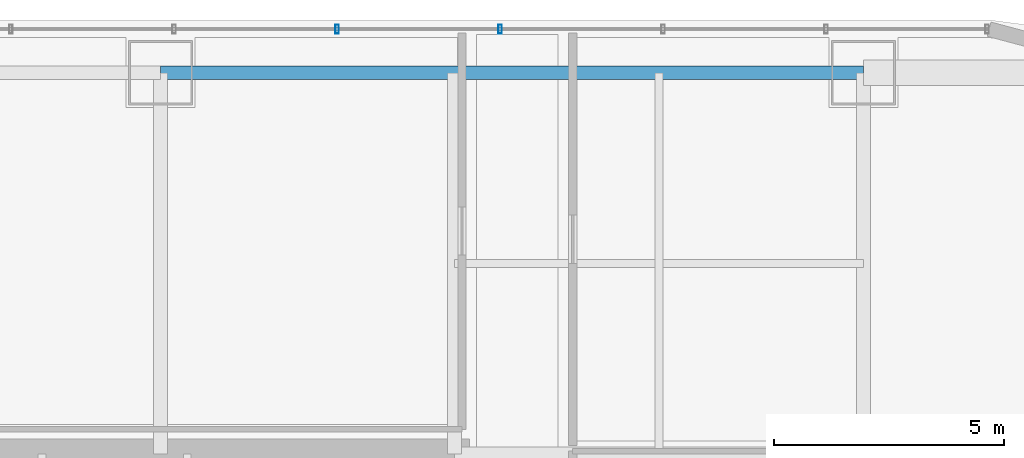
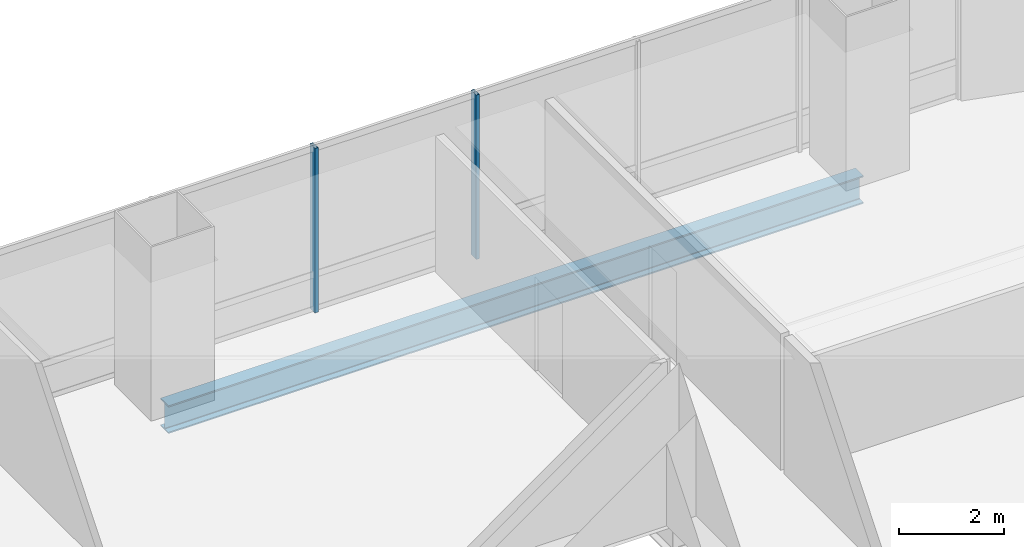
# One storey, part 25 of 36: 2 members, 1 beam, 1 element without a shape of its own.
"""IFC4 building model written with IfcOpenShell, lengths in metres."""

from ifc_helpers import new_model, si_unit, direction, frame, origin, origin_2d, place, context, subcontext, project, spatial, hollow_rectangle, i_section, extrude, material, material_profile, profile_set, type_object, element, aggregate, save


model = new_model("IFC4")

# Units and contexts
model_context = context("Model", 3, precision=1e-05, world=origin(), true_north=direction((0.0, 1.0)))
body_context = subcontext(model_context, "Body", "Model", "MODEL_VIEW")
ifc_project = project(units=[si_unit("LENGTHUNIT", "METRE"), si_unit("AREAUNIT", "SQUARE_METRE"), si_unit("VOLUMEUNIT", "CUBIC_METRE"), si_unit("PLANEANGLEUNIT", "RADIAN"), si_unit("MASSUNIT", "GRAM", prefix="KILO")], contexts=[model_context])

# Site, building, storey
site_placement = place(None, origin())
site = spatial("IfcSite", under=ifc_project, at=site_placement, CompositionType="ELEMENT")
building_placement = place(site_placement, origin())
building = spatial("IfcBuilding", under=site, at=building_placement, Name="Punatoya Terracotta Tower", CompositionType="ELEMENT")
storey_placement = place(building_placement, frame((0.0, 0.0, 228.89990234375)))
storey = spatial("IfcBuildingStorey", under=building, at=storey_placement, Name="L54", CompositionType="ELEMENT", Elevation=228.89990234375)

# Beam
ifc_material_1 = material(Name="Steel S355", Category="steel")
ifc_material_profile_1 = material_profile(ifc_material_1, i_section(OverallWidth=0.300048828125, OverallDepth=0.64990234375, WebThickness=0.01611328125, FlangeThickness=0.031005859375, FilletRadius=0.01806640625, at=origin_2d()))
ifc_profile_set_1 = profile_set([ifc_material_profile_1], Name="Steel S355")
beam_type = type_object("IfcBeamType", Name="BM-PRI-650", PredefinedType="BEAM", material=ifc_profile_set_1)
beam_placement = place(storey_placement, frame((3.800048828125, 17.5, -0.544921875), z_axis=(1.0, 0.0, 0.0), x_axis=(0.0, 1.0, 0.0)))
element("IfcBeam", 1, at=beam_placement, inside=storey, type_object=beam_type, Name="BM-L54-RG-N3", PredefinedType="BEAM", context=body_context, shape_type="SweptSolid", body=[
    extrude(i_section(OverallWidth=0.300048828125, OverallDepth=0.64990234375, WebThickness=0.01611328125, FlangeThickness=0.031005859375, FilletRadius=0.01806640625, at=origin_2d()), origin(), (0.0, 0.0, 1.0), 15.300048828125),
])

# Curtain wall, members
ifc_material_2 = material(Name="Aluminium 6063-T6 + Double Low-E Glass", Category="aluminium")
curtain_wall_type = type_object("IfcCurtainWallType", Name="CW-M2", PredefinedType="NOTDEFINED", material=ifc_material_2)
curtain_wall_placement = place(storey_placement, origin())
curtain_wall = element("IfcCurtainWall", 2, at=curtain_wall_placement, inside=storey, type_object=curtain_wall_type, Name="L54 Curtain Wall CW-L54-N08-1", PredefinedType="NOTDEFINED")
ifc_material_3 = material(Name="Aluminium 6063-T6", Category="aluminium")
ifc_material_profile_2 = material_profile(ifc_material_3, hollow_rectangle(XDim=0.072021484375, YDim=0.195068359375, WallThickness=0.00439453125, at=origin_2d()))
ifc_profile_set_2 = profile_set([ifc_material_profile_2], Name="Aluminium 6063-T6")
member_type = type_object("IfcMemberType", Name="CW-MUL-M2", PredefinedType="MULLION", material=ifc_profile_set_2)
member_1_placement = place(storey_placement, frame((11.19091796875, 18.449951171875, 0.0), z_axis=(0.0, 0.0, 1.0), x_axis=(1.0, 0.0, 0.0)))
member_1 = element("IfcMember", 3, at=member_1_placement, type_object=member_type, Name="CW-L54-N08-1 Mullion 03", PredefinedType="MULLION", context=body_context, shape_type="SweptSolid", body=[
    extrude(hollow_rectangle(XDim=0.072021484375, YDim=0.195068359375, WallThickness=0.00439453125, at=origin_2d()), origin(), (0.0, 0.0, 1.0), 3.830078125),
])
member_2_placement = place(storey_placement, frame((7.64208984375, 18.449951171875, 0.0), z_axis=(0.0, 0.0, 1.0), x_axis=(1.0, 0.0, 0.0)))
member_2 = element("IfcMember", 4, at=member_2_placement, type_object=member_type, Name="CW-L54-N08-1 Mullion 04", PredefinedType="MULLION", context=body_context, shape_type="SweptSolid", body=[
    extrude(hollow_rectangle(XDim=0.072021484375, YDim=0.195068359375, WallThickness=0.00439453125, at=origin_2d()), origin(), (0.0, 0.0, 1.0), 3.830078125),
])
aggregate(curtain_wall, [member_1, member_2])

save(model, "model.ifc")
